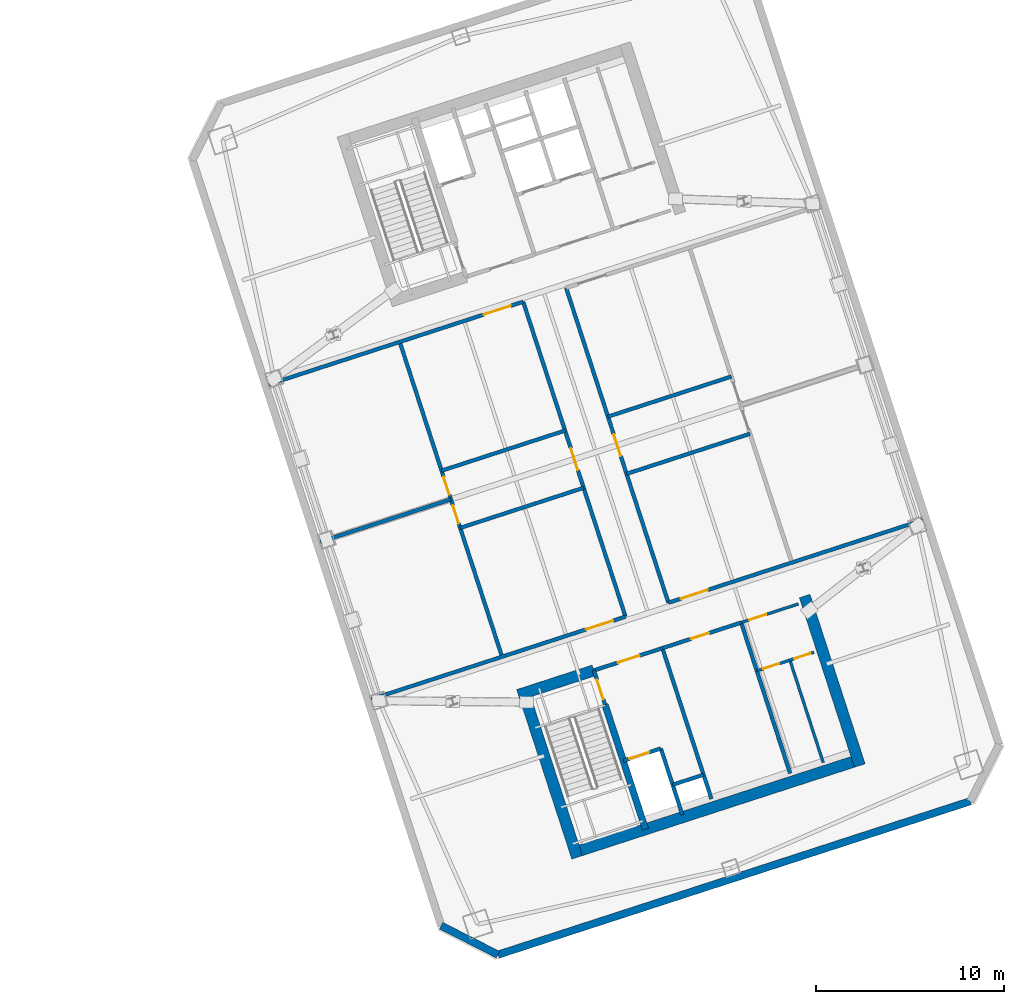
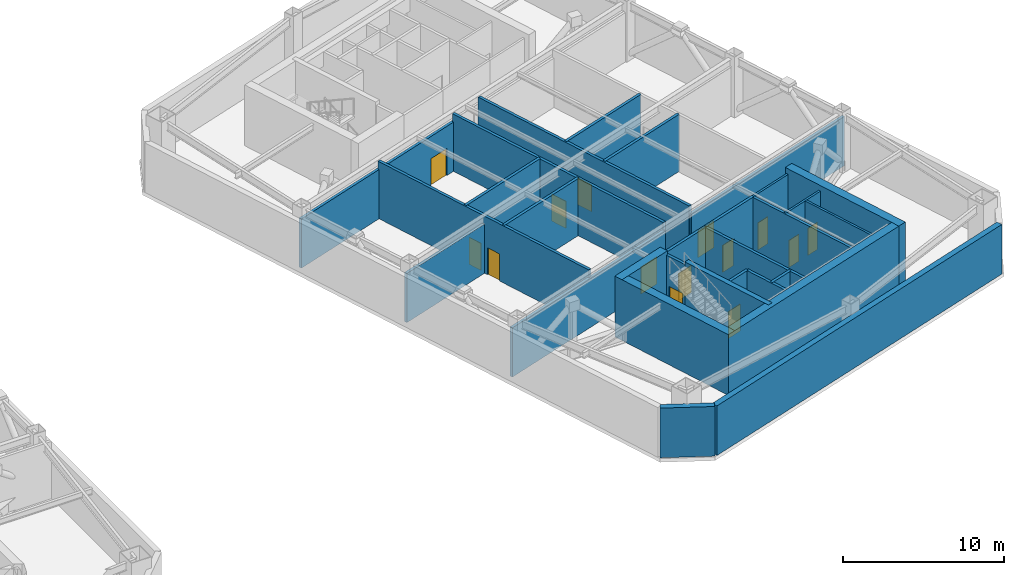
# One storey, part 13 of 17: 29 walls, 14 doors, 14 openings.
"""IFC4 building model written with IfcOpenShell, lengths in metres."""

from ifc_helpers import new_model, si_unit, direction, frame, frame_2d, origin, place, context, subcontext, project, spatial, rectangle, extrude, material, layer, layer_set, type_object, element, fill, save


model = new_model("IFC4")

# Units and contexts
model_context = context("Model", 3, precision=1e-05, world=origin(), true_north=direction((0.0, 1.0)))
body_context = subcontext(model_context, "Body", "Model", "MODEL_VIEW")
ifc_project = project(units=[si_unit("LENGTHUNIT", "METRE"), si_unit("AREAUNIT", "SQUARE_METRE"), si_unit("VOLUMEUNIT", "CUBIC_METRE"), si_unit("PLANEANGLEUNIT", "RADIAN"), si_unit("MASSUNIT", "GRAM", prefix="KILO")], contexts=[model_context])

# Site, building, storey
site_placement = place(None, origin())
site = spatial("IfcSite", under=ifc_project, at=site_placement, CompositionType="ELEMENT")
building_placement = place(site_placement, origin())
building = spatial("IfcBuilding", under=site, at=building_placement, Name="Qiaolan Cultural Towers", CompositionType="ELEMENT")
storey_placement = place(building_placement, frame((0.0, 0.0, 184.0)))
storey = spatial("IfcBuildingStorey", under=building, at=storey_placement, Name="L49", CompositionType="ELEMENT", Elevation=184.0)

# Walls
ifc_material_1 = material(Name="Concrete C50", Category="concrete")
ifc_layer_1 = layer(ifc_material_1, 0.35009765625)
ifc_layer_set_1 = layer_set([ifc_layer_1], Name="Concrete C50")
wall_type_1 = type_object("IfcWallType", Name="WL-CORE-350", PredefinedType="SHEAR", material=ifc_layer_set_1)
wall_1_placement = place(storey_placement, frame((90.486328125, 20.59423828125, 0.0), z_axis=(0.0, 0.0, 1.0), x_axis=(0.309020428229, -0.951055400562, 0.0)))
element("IfcWall", 1, at=wall_1_placement, inside=storey, type_object=wall_type_1, Name="L49 T2-CS Stair Core Dividing Web", PredefinedType="SHEAR", context=body_context, shape_type="SweptSolid", body=[
    extrude(rectangle(XDim=6.97998046875, YDim=0.35009765625, at=frame_2d((3.489990234375, 0.0))), origin(), (0.0, 0.0, 1.0), 4.60009765625),
])
ifc_material_2 = material(Name="Concrete C55", Category="concrete")
ifc_layer_2 = layer(ifc_material_2, 0.60009765625)
ifc_layer_set_2 = layer_set([ifc_layer_2], Name="Concrete C55")
wall_type_2 = type_object("IfcWallType", Name="WL-CORE-600", PredefinedType="SHEAR", material=ifc_layer_set_2)
wall_2_placement = place(storey_placement, frame((88.6298828125, 12.65185546875, 0.0), z_axis=(0.0, 0.0, 1.0), x_axis=(0.95105714907, 0.309015046886, 0.0)))
element("IfcWall", 2, at=wall_2_placement, inside=storey, type_object=wall_type_2, Name="L49 T2-CS Outer Core Shear Wall", PredefinedType="SHEAR", context=body_context, shape_type="SweptSolid", body=[
    extrude(rectangle(XDim=16.400146484375, YDim=0.60009765625, at=frame_2d((8.2001953125, 0.0))), origin(), (0.0, 0.0, 1.0), 4.60009765625),
])
wall_3_placement = place(storey_placement, frame((86.078369140625, 21.47509765625, 0.0), z_axis=(0.0, 0.0, 1.0), x_axis=(0.309017938678, -0.951056209472, 0.0)))
element("IfcWall", 3, at=wall_3_placement, inside=storey, type_object=wall_type_2, Name="L49 T2-CS West Core Shear Wall", PredefinedType="SHEAR", context=body_context, shape_type="SweptSolid", body=[
    extrude(rectangle(XDim=9.479736328125, YDim=0.60009765625, at=frame_2d((4.73974609375, 0.0))), origin(), (0.0, 0.0, 1.0), 4.60009765625),
])
wall_4_placement = place(storey_placement, frame((101.105224609375, 26.357666015625, 0.0), z_axis=(0.0, 0.0, 1.0), x_axis=(0.309010370028, -0.95105866865, 0.0)))
element("IfcWall", 4, at=wall_4_placement, inside=storey, type_object=wall_type_2, Name="L49 T2-CS East Core Shear Wall", PredefinedType="SHEAR", context=body_context, shape_type="SweptSolid", body=[
    extrude(rectangle(XDim=9.47998046875, YDim=0.60009765625, at=frame_2d((4.739990234375, 0.0))), origin(), (0.0, 0.0, 1.0), 4.60009765625),
])
wall_5_placement = place(storey_placement, frame((85.8857421875, 21.09716796875, 0.0), z_axis=(0.0, 0.0, 1.0), x_axis=(0.951068073652, 0.308981422225, 0.0)))
element("IfcWall", 5, at=wall_5_placement, inside=storey, type_object=wall_type_2, Name="L49 T2-CS Stair Front Shear Wall", PredefinedType="SHEAR", context=body_context, shape_type="SweptSolid", body=[
    extrude(rectangle(XDim=4.22021484375, YDim=0.60009765625, at=frame_2d((2.110107421875, 0.0))), origin(), (0.0, 0.0, 1.0), 4.60009765625),
])
ifc_material_3 = material(Name="Precast Concrete C50 Honed Stone Pier", Category="masonry")
ifc_layer_3 = layer(ifc_material_3, 0.39990234375)
ifc_layer_set_3 = layer_set([ifc_layer_3], Name="Precast Concrete C50 Honed Stone Pier")
wall_type_3 = type_object("IfcWallType", Name="WL-EXT-PIER-400", PredefinedType="SOLIDWALL", material=ifc_layer_set_3)
wall_6_placement = place(storey_placement, frame((109.908447265625, 15.44384765625, 0.0), z_axis=(0.0, 0.0, 1.0), x_axis=(-0.951057580055, -0.30901372044, 0.0)))
element("IfcWall", 6, at=wall_6_placement, inside=storey, type_object=wall_type_3, Name="L49 East Tower Precast Pier Facade Wall F7", PredefinedType="SOLIDWALL", context=body_context, shape_type="SweptSolid", body=[
    extrude(rectangle(XDim=26.39990234375, YDim=0.39990234375, at=frame_2d((13.199951171875, 0.0))), origin(), (0.0, 0.0, 1.0), 3.760009765625),
])
wall_7_placement = place(storey_placement, frame((84.800537109375, 7.285888671875, 0.0), z_axis=(0.0, 0.0, 1.0), x_axis=(-0.891020832027, 0.453962417932, 0.0)))
element("IfcWall", 7, at=wall_7_placement, inside=storey, type_object=wall_type_3, Name="L49 East Tower Precast Pier Facade Wall F8", PredefinedType="SOLIDWALL", context=body_context, shape_type="SweptSolid", body=[
    extrude(rectangle(XDim=3.39404296875, YDim=0.39990234375, at=frame_2d((1.697021484375, 0.0))), origin(), (0.0, 0.0, 1.0), 3.760009765625),
])

# Wall, opening, door
ifc_material_4 = material(Name="Concrete C35 Fire Wall", Category="concrete")
ifc_layer_4 = layer(ifc_material_4, 0.199951171875)
ifc_layer_set_4 = layer_set([ifc_layer_4], Name="Concrete C35 Fire Wall")
wall_type_4 = type_object("IfcWallType", Name="WL-FIRE-200", PredefinedType="PARTITIONING", material=ifc_layer_set_4)
wall_8_placement = place(storey_placement, frame((89.8994140625, 22.401123046875, 0.0), z_axis=(0.0, 0.0, 1.0), x_axis=(0.308932062672, -0.951084108086, 0.0)))
wall_8 = element("IfcWall", 8, at=wall_8_placement, inside=storey, type_object=wall_type_4, Name="L49 T2-CS Smokeproof Stair Entry Wall", PredefinedType="PARTITIONING", context=body_context, shape_type="SweptSolid", body=[
    extrude(rectangle(XDim=1.89990234375, YDim=0.199951171875, at=frame_2d((0.949951171875, 0.0))), origin(), (0.0, 0.0, 1.0), 4.324951171875),
])
opening_1_placement = place(wall_8_placement, frame((0.52001953125, 0.0, 0.0)))
opening_1 = element("IfcOpeningElement", 9, at=opening_1_placement, cuts=wall_8, Name="Opening FD-04", PredefinedType="OPENING", context=body_context, shape_type="SweptSolid", body=[
    extrude(rectangle(XDim=1.10009765625, YDim=2.050048828125, at=frame_2d((0.550048828125, 1.02490234375))), frame((0.0, 0.10986328125, 0.0), z_axis=(0.0, -1.0, 0.0), x_axis=(1.0, 0.0, 0.0)), (0.0, 0.0, 1.0), 0.219970703125),
])
ifc_material_5 = material(Name="Galvanized Steel Command Fire Door", Category="steel")
door_type_1 = type_object("IfcDoorType", Name="DR-FD90-1100", OperationType="NOTDEFINED", PredefinedType="DOOR", material=ifc_material_5)
door_1_placement = place(opening_1_placement, origin())
door_1 = element("IfcDoor", 10, at=door_1_placement, inside=storey, type_object=door_type_1, Name="L49 ST-E1 Smokeproof Stair Fire Door", OperationType="SINGLE_SWING_LEFT", OverallHeight=2.050048828125, OverallWidth=1.10009765625, PredefinedType="DOOR", context=body_context, shape_type="SweptSolid", body=[
    extrude(rectangle(XDim=1.10009765625, YDim=2.050048828125, at=frame_2d((0.550048828125, 1.02490234375))), frame((0.0, 0.02490234375, 0.0), z_axis=(0.0, -1.0, 0.0), x_axis=(1.0, 0.0, 0.0)), (0.0, 0.0, 1.0), 0.050048828125),
])
fill(opening_1, door_1)

# Wall
wall_9_placement = place(storey_placement, frame((93.541748046875, 23.584716796875, 0.0), z_axis=(0.0, 0.0, 1.0), x_axis=(0.309042196757, -0.951048327176, 0.0)))
element("IfcWall", 11, at=wall_9_placement, inside=storey, type_object=wall_type_4, Name="L49 T2-CS Firefighting Zone Wall", PredefinedType="PARTITIONING", context=body_context, shape_type="SweptSolid", body=[
    extrude(rectangle(XDim=8.429931640625, YDim=0.199951171875, at=frame_2d((4.21484375, 0.0))), origin(), (0.0, 0.0, 1.0), 4.324951171875),
])

# Wall, opening, door
wall_10_placement = place(storey_placement, frame((89.8994140625, 22.401123046875, 0.0), z_axis=(0.0, 0.0, 1.0), x_axis=(0.951046716504, 0.309047153403, 0.0)))
wall_10 = element("IfcWall", 12, at=wall_10_placement, inside=storey, type_object=wall_type_4, Name="L49 T2-CS Firefighting Lobby Front Wall", PredefinedType="PARTITIONING", context=body_context, shape_type="SweptSolid", body=[
    extrude(rectangle(XDim=3.829833984375, YDim=0.199951171875, at=frame_2d((1.9150390625, 0.0))), origin(), (0.0, 0.0, 1.0), 4.324951171875),
])
opening_2_placement = place(wall_10_placement, frame((1.35009765625, 0.0, 0.0)))
opening_2 = element("IfcOpeningElement", 13, at=opening_2_placement, cuts=wall_10, Name="Opening FD-03", PredefinedType="OPENING", context=body_context, shape_type="SweptSolid", body=[
    extrude(rectangle(XDim=1.199951171875, YDim=2.050048828125, at=frame_2d((0.60009765625, 1.02490234375))), frame((0.0, 0.10986328125, 0.0), z_axis=(0.0, -1.0, 0.0), x_axis=(1.0, 0.0, 0.0)), (0.0, 0.0, 1.0), 0.219970703125),
])
ifc_material_6 = material(Name="Galvanized Steel Smokeproof Lobby Fire Door", Category="steel")
door_type_2 = type_object("IfcDoorType", Name="DR-FD90-1200", OperationType="NOTDEFINED", PredefinedType="DOOR", material=ifc_material_6)
door_2_placement = place(opening_2_placement, origin())
door_2 = element("IfcDoor", 14, at=door_2_placement, inside=storey, type_object=door_type_2, Name="L49 FFL-E1 Firefighting Lobby Fire Door", OperationType="SINGLE_SWING_LEFT", OverallHeight=2.050048828125, OverallWidth=1.199951171875, PredefinedType="DOOR", context=body_context, shape_type="SweptSolid", body=[
    extrude(rectangle(XDim=1.199951171875, YDim=2.050048828125, at=frame_2d((0.60009765625, 1.02490234375))), frame((0.0, 0.02490234375, 0.0), z_axis=(0.0, -1.0, 0.0), x_axis=(1.0, 0.0, 0.0)), (0.0, 0.0, 1.0), 0.050048828125),
])
fill(opening_2, door_2)

wall_11_placement = place(storey_placement, frame((91.459716796875, 17.598388671875, 0.0), z_axis=(0.0, 0.0, 1.0), x_axis=(0.951062257173, 0.308999325213, 0.0)))
wall_11 = element("IfcWall", 15, at=wall_11_placement, inside=storey, type_object=wall_type_4, Name="L49 T2-CS Firefighting Shaft Front Wall", PredefinedType="PARTITIONING", context=body_context, shape_type="SweptSolid", body=[
    extrude(rectangle(XDim=2.10009765625, YDim=0.199951171875, at=frame_2d((1.050048828125, 0.0))), origin(), (0.0, 0.0, 1.0), 4.324951171875),
])
opening_3_placement = place(wall_11_placement, frame((0.35009765625, 0.0, 0.0)))
opening_3 = element("IfcOpeningElement", 16, at=opening_3_placement, cuts=wall_11, Name="Opening LD-01", PredefinedType="OPENING", context=body_context, shape_type="SweptSolid", body=[
    extrude(rectangle(XDim=1.10009765625, YDim=2.050048828125, at=frame_2d((0.550048828125, 1.02490234375))), frame((0.0, 0.10986328125, 0.0), z_axis=(0.0, -1.0, 0.0), x_axis=(1.0, 0.0, 0.0)), (0.0, 0.0, 1.0), 0.219970703125),
])
ifc_material_7 = material(Name="Brushed Stainless Steel S30408 Centre-Parting Lift Landing Door", Category="steel")
door_type_3 = type_object("IfcDoorType", Name="DR-LIFT-1100", OperationType="NOTDEFINED", PredefinedType="DOOR", material=ifc_material_7)
door_3_placement = place(opening_3_placement, origin())
door_3 = element("IfcDoor", 17, at=door_3_placement, inside=storey, type_object=door_type_3, Name="L49 FFL-E1 Firefighting Lift Landing Door", OperationType="DOUBLE_DOOR_SLIDING", OverallHeight=2.050048828125, OverallWidth=1.10009765625, PredefinedType="DOOR", context=body_context, shape_type="SweptSolid", body=[
    extrude(rectangle(XDim=1.10009765625, YDim=2.050048828125, at=frame_2d((0.550048828125, 1.02490234375))), frame((0.0, 0.02490234375, 0.0), z_axis=(0.0, -1.0, 0.0), x_axis=(1.0, 0.0, 0.0)), (0.0, 0.0, 1.0), 0.050048828125),
])
fill(opening_3, door_3)

# Walls
wall_12_placement = place(storey_placement, frame((93.45703125, 18.247314453125, 0.0), z_axis=(0.0, 0.0, 1.0), x_axis=(0.3089935693, -0.951064127245, 0.0)))
element("IfcWall", 18, at=wall_12_placement, inside=storey, type_object=wall_type_4, Name="L49 T2-CS Firefighting Hoistway East Wall", PredefinedType="PARTITIONING", context=body_context, shape_type="SweptSolid", body=[
    extrude(rectangle(XDim=3.7001953125, YDim=0.199951171875, at=frame_2d((1.85009765625, 0.0))), origin(), (0.0, 0.0, 1.0), 4.324951171875),
])
wall_13_placement = place(storey_placement, frame((94.08447265625, 16.316650390625, 0.0), z_axis=(0.0, 0.0, 1.0), x_axis=(0.951041328149, 0.309063734775, 0.0)))
element("IfcWall", 19, at=wall_13_placement, inside=storey, type_object=wall_type_4, Name="L49 T2-CS Pressurization Shaft Front Wall", PredefinedType="PARTITIONING", context=body_context, shape_type="SweptSolid", body=[
    extrude(rectangle(XDim=1.72998046875, YDim=0.199951171875, at=frame_2d((0.864990234375, 0.0))), origin(), (0.0, 0.0, 1.0), 4.324951171875),
])
wall_14_placement = place(storey_placement, frame((97.7265625, 24.9443359375, 0.0), z_axis=(0.0, 0.0, 1.0), x_axis=(0.309016001439, -0.951056838919, 0.0)))
element("IfcWall", 20, at=wall_14_placement, inside=storey, type_object=wall_type_4, Name="L49 T2-CS Lift Core East Wall", PredefinedType="PARTITIONING", context=body_context, shape_type="SweptSolid", body=[
    extrude(rectangle(XDim=8.429931640625, YDim=0.199951171875, at=frame_2d((4.21484375, 0.0))), origin(), (0.0, 0.0, 1.0), 4.324951171875),
])

# Wall, opening, door
wall_15_placement = place(storey_placement, frame((93.541748046875, 23.584716796875, 0.0), z_axis=(0.0, 0.0, 1.0), x_axis=(0.951063829732, 0.308994485023, 0.0)))
wall_15 = element("IfcWall", 21, at=wall_15_placement, inside=storey, type_object=wall_type_4, Name="L49 T2-CS Refuge Core Riser Wall", PredefinedType="PARTITIONING", context=body_context, shape_type="SweptSolid", body=[
    extrude(rectangle(XDim=4.400146484375, YDim=0.199951171875, at=frame_2d((2.2001953125, 0.0))), origin(), (0.0, 0.0, 1.0), 4.324951171875),
])
opening_4_placement = place(wall_15_placement, frame((1.60009765625, 0.0, 0.0)))
opening_4 = element("IfcOpeningElement", 22, at=opening_4_placement, cuts=wall_15, Name="Opening FD-07", PredefinedType="OPENING", context=body_context, shape_type="SweptSolid", body=[
    extrude(rectangle(XDim=1.0, YDim=2.050048828125, at=frame_2d((0.5, 1.02490234375))), frame((0.0, 0.10986328125, 0.0), z_axis=(0.0, -1.0, 0.0), x_axis=(1.0, 0.0, 0.0)), (0.0, 0.0, 1.0), 0.219970703125),
])
ifc_material_8 = material(Name="Painted Steel Riser Fire Door", Category="steel")
door_type_4 = type_object("IfcDoorType", Name="DR-FD60-1000", OperationType="NOTDEFINED", PredefinedType="DOOR", material=ifc_material_8)
door_4_placement = place(opening_4_placement, origin())
door_4 = element("IfcDoor", 23, at=door_4_placement, inside=storey, type_object=door_type_4, Name="L49 Core Plant Room Door", OperationType="SINGLE_SWING_LEFT", OverallHeight=2.050048828125, OverallWidth=1.0, PredefinedType="DOOR", context=body_context, shape_type="SweptSolid", body=[
    extrude(rectangle(XDim=1.0, YDim=2.050048828125, at=frame_2d((0.5, 1.02490234375))), frame((0.0, 0.02490234375, 0.0), z_axis=(0.0, -1.0, 0.0), x_axis=(1.0, 0.0, 0.0)), (0.0, 0.0, 1.0), 0.050048828125),
])
fill(opening_4, door_4)

wall_16_placement = place(storey_placement, frame((78.072998046875, 20.871826171875, 0.0), z_axis=(0.0, 0.0, 1.0), x_axis=(0.951059461247, 0.3090079306, 0.0)))
wall_16 = element("IfcWall", 24, at=wall_16_placement, inside=storey, type_object=wall_type_4, Name="L49 T2 Fire Rated Plant/Refuge Wall SBW", PredefinedType="PARTITIONING", context=body_context, shape_type="SweptSolid", body=[
    extrude(rectangle(XDim=14.2001953125, YDim=0.199951171875, at=frame_2d((7.10009765625, 0.0))), origin(), (0.0, 0.0, 1.0), 3.72705078125),
])
opening_5_placement = place(wall_16_placement, frame((12.0, 0.0, 0.0)))
opening_5 = element("IfcOpeningElement", 25, at=opening_5_placement, cuts=wall_16, Name="Opening FD-02", PredefinedType="OPENING", context=body_context, shape_type="SweptSolid", body=[
    extrude(rectangle(XDim=1.5, YDim=2.050048828125, at=frame_2d((0.75, 1.02490234375))), frame((0.0, 0.10986328125, 0.0), z_axis=(0.0, -1.0, 0.0), x_axis=(1.0, 0.0, 0.0)), (0.0, 0.0, 1.0), 0.219970703125),
])
ifc_material_9 = material(Name="Galvanized Steel Double Fire Door", Category="steel")
door_type_5 = type_object("IfcDoorType", Name="DR-FD90-1500", OperationType="NOTDEFINED", PredefinedType="DOOR", material=ifc_material_9)
door_5_placement = place(opening_5_placement, origin())
door_5 = element("IfcDoor", 26, at=door_5_placement, inside=storey, type_object=door_type_5, Name="L49 T2 West South Refuge Fire Door", OperationType="SINGLE_SWING_LEFT", OverallHeight=2.050048828125, OverallWidth=1.5, PredefinedType="DOOR", context=body_context, shape_type="SweptSolid", body=[
    extrude(rectangle(XDim=1.5, YDim=2.050048828125, at=frame_2d((0.75, 1.02490234375))), frame((0.0, 0.02490234375, 0.0), z_axis=(0.0, -1.0, 0.0), x_axis=(1.0, 0.0, 0.0)), (0.0, 0.0, 1.0), 0.050048828125),
])
fill(opening_5, door_5)

wall_17_placement = place(storey_placement, frame((93.860595703125, 26.00146484375, 0.0), z_axis=(0.0, 0.0, 1.0), x_axis=(0.951054408413, 0.309023481693, 0.0)))
wall_17 = element("IfcWall", 27, at=wall_17_placement, inside=storey, type_object=wall_type_4, Name="L49 T2 Fire Rated Plant/Refuge Wall SBE", PredefinedType="PARTITIONING", context=body_context, shape_type="SweptSolid", body=[
    extrude(rectangle(XDim=14.2001953125, YDim=0.199951171875, at=frame_2d((7.10009765625, 0.0))), origin(), (0.0, 0.0, 1.0), 3.72705078125),
])
opening_6_placement = place(wall_17_placement, frame((0.699951171875, 0.0, 0.0)))
opening_6 = element("IfcOpeningElement", 28, at=opening_6_placement, cuts=wall_17, Name="Opening FD-02", PredefinedType="OPENING", context=body_context, shape_type="SweptSolid", body=[
    extrude(rectangle(XDim=1.5, YDim=2.050048828125, at=frame_2d((0.75, 1.02490234375))), frame((0.0, 0.10986328125, 0.0), z_axis=(0.0, -1.0, 0.0), x_axis=(1.0, 0.0, 0.0)), (0.0, 0.0, 1.0), 0.219970703125),
])
door_6_placement = place(opening_6_placement, origin())
door_6 = element("IfcDoor", 29, at=door_6_placement, inside=storey, type_object=door_type_5, Name="L49 T2 East South Refuge Fire Door", OperationType="SINGLE_SWING_RIGHT", OverallHeight=2.050048828125, OverallWidth=1.5, PredefinedType="DOOR", context=body_context, shape_type="SweptSolid", body=[
    extrude(rectangle(XDim=1.5, YDim=2.050048828125, at=frame_2d((0.75, 1.02490234375))), frame((0.0, 0.02490234375, 0.0), z_axis=(0.0, -1.0, 0.0), x_axis=(1.0, 0.0, 0.0)), (0.0, 0.0, 1.0), 0.050048828125),
])
fill(opening_6, door_6)

wall_18_placement = place(storey_placement, frame((72.63427734375, 37.6103515625, 0.0), z_axis=(0.0, 0.0, 1.0), x_axis=(0.951054408413, 0.309023481693, 0.0)))
wall_18 = element("IfcWall", 30, at=wall_18_placement, inside=storey, type_object=wall_type_4, Name="L49 T2 Fire Rated Plant/Refuge Wall NBW", PredefinedType="PARTITIONING", context=body_context, shape_type="SweptSolid", body=[
    extrude(rectangle(XDim=14.2001953125, YDim=0.199951171875, at=frame_2d((7.10009765625, 0.0))), origin(), (0.0, 0.0, 1.0), 3.72705078125),
])
opening_7_placement = place(wall_18_placement, frame((12.0, 0.0, 0.0)))
opening_7 = element("IfcOpeningElement", 31, at=opening_7_placement, cuts=wall_18, Name="Opening FD-02", PredefinedType="OPENING", context=body_context, shape_type="SweptSolid", body=[
    extrude(rectangle(XDim=1.5, YDim=2.050048828125, at=frame_2d((0.75, 1.02490234375))), frame((0.0, 0.10986328125, 0.0), z_axis=(0.0, -1.0, 0.0), x_axis=(1.0, 0.0, 0.0)), (0.0, 0.0, 1.0), 0.219970703125),
])
door_7_placement = place(opening_7_placement, origin())
door_7 = element("IfcDoor", 32, at=door_7_placement, inside=storey, type_object=door_type_5, Name="L49 T2 West North Refuge Fire Door", OperationType="SINGLE_SWING_LEFT", OverallHeight=2.050048828125, OverallWidth=1.5, PredefinedType="DOOR", context=body_context, shape_type="SweptSolid", body=[
    extrude(rectangle(XDim=1.5, YDim=2.050048828125, at=frame_2d((0.75, 1.02490234375))), frame((0.0, 0.02490234375, 0.0), z_axis=(0.0, -1.0, 0.0), x_axis=(1.0, 0.0, 0.0)), (0.0, 0.0, 1.0), 0.050048828125),
])
fill(opening_7, door_7)

wall_19_placement = place(storey_placement, frame((91.578125, 25.259765625, 0.0), z_axis=(0.0, 0.0, 1.0), x_axis=(-0.30901518495, 0.951057104211, 0.0)))
wall_19 = element("IfcWall", 33, at=wall_19_placement, inside=storey, type_object=wall_type_4, Name="L49 T2 Fire Rated Plant/Refuge Wall CL", PredefinedType="PARTITIONING", context=body_context, shape_type="SweptSolid", body=[
    extrude(rectangle(XDim=17.60009765625, YDim=0.199951171875, at=frame_2d((8.800048828125, 0.0))), origin(), (0.0, 0.0, 1.0), 4.324951171875),
])
opening_8_placement = place(wall_19_placement, frame((8.199951171875, 0.0, 0.0)))
opening_8 = element("IfcOpeningElement", 34, at=opening_8_placement, cuts=wall_19, Name="Opening FD-03", PredefinedType="OPENING", context=body_context, shape_type="SweptSolid", body=[
    extrude(rectangle(XDim=1.199951171875, YDim=2.050048828125, at=frame_2d((0.60009765625, 1.02490234375))), frame((0.0, 0.10986328125, 0.0), z_axis=(0.0, -1.0, 0.0), x_axis=(1.0, 0.0, 0.0)), (0.0, 0.0, 1.0), 0.219970703125),
])
door_8_placement = place(opening_8_placement, origin())
door_8 = element("IfcDoor", 35, at=door_8_placement, inside=storey, type_object=door_type_2, Name="L49 T2 West Plant Passage Door", OperationType="SINGLE_SWING_LEFT", OverallHeight=2.050048828125, OverallWidth=1.199951171875, PredefinedType="DOOR", context=body_context, shape_type="SweptSolid", body=[
    extrude(rectangle(XDim=1.199951171875, YDim=2.050048828125, at=frame_2d((0.60009765625, 1.02490234375))), frame((0.0, 0.02490234375, 0.0), z_axis=(0.0, -1.0, 0.0), x_axis=(1.0, 0.0, 0.0)), (0.0, 0.0, 1.0), 0.050048828125),
])
fill(opening_8, door_8)

wall_20_placement = place(storey_placement, frame((93.860595703125, 26.00146484375, 0.0), z_axis=(0.0, 0.0, 1.0), x_axis=(-0.30901518495, 0.951057104211, 0.0)))
wall_20 = element("IfcWall", 36, at=wall_20_placement, inside=storey, type_object=wall_type_4, Name="L49 T2 Fire Rated Plant/Refuge Wall CR", PredefinedType="PARTITIONING", context=body_context, shape_type="SweptSolid", body=[
    extrude(rectangle(XDim=17.60009765625, YDim=0.199951171875, at=frame_2d((8.800048828125, 0.0))), origin(), (0.0, 0.0, 1.0), 4.324951171875),
])
opening_9_placement = place(wall_20_placement, frame((8.199951171875, 0.0, 0.0)))
opening_9 = element("IfcOpeningElement", 37, at=opening_9_placement, cuts=wall_20, Name="Opening FD-03", PredefinedType="OPENING", context=body_context, shape_type="SweptSolid", body=[
    extrude(rectangle(XDim=1.199951171875, YDim=2.050048828125, at=frame_2d((0.60009765625, 1.02490234375))), frame((0.0, 0.10986328125, 0.0), z_axis=(0.0, -1.0, 0.0), x_axis=(1.0, 0.0, 0.0)), (0.0, 0.0, 1.0), 0.219970703125),
])
door_9_placement = place(opening_9_placement, origin())
door_9 = element("IfcDoor", 38, at=door_9_placement, inside=storey, type_object=door_type_2, Name="L49 T2 East Plant Passage Door", OperationType="SINGLE_SWING_RIGHT", OverallHeight=2.050048828125, OverallWidth=1.199951171875, PredefinedType="DOOR", context=body_context, shape_type="SweptSolid", body=[
    extrude(rectangle(XDim=1.199951171875, YDim=2.050048828125, at=frame_2d((0.60009765625, 1.02490234375))), frame((0.0, 0.02490234375, 0.0), z_axis=(0.0, -1.0, 0.0), x_axis=(1.0, 0.0, 0.0)), (0.0, 0.0, 1.0), 0.050048828125),
])
fill(opening_9, door_9)

# Wall, openings, doors
wall_21_placement = place(storey_placement, frame((85.015869140625, 23.127685546875, 0.0), z_axis=(0.0, 0.0, 1.0), x_axis=(-0.309019261708, 0.951055779591, 0.0)))
wall_21 = element("IfcWall", 39, at=wall_21_placement, inside=storey, type_object=wall_type_4, Name="L49 T2 Fire Rated Plant/Refuge Wall WL", PredefinedType="PARTITIONING", context=body_context, shape_type="SweptSolid", body=[
    extrude(rectangle(XDim=17.599853515625, YDim=0.199951171875, at=frame_2d((8.7998046875, 0.0))), origin(), (0.0, 0.0, 1.0), 4.324951171875),
])
opening_10_placement = place(wall_21_placement, frame((7.449951171875, 0.0, 0.0)))
opening_10 = element("IfcOpeningElement", 40, at=opening_10_placement, cuts=wall_21, Name="Opening FD-07", PredefinedType="OPENING", context=body_context, shape_type="SweptSolid", body=[
    extrude(rectangle(XDim=1.0, YDim=2.050048828125, at=frame_2d((0.5, 1.02490234375))), frame((0.0, 0.10986328125, 0.0), z_axis=(0.0, -1.0, 0.0), x_axis=(1.0, 0.0, 0.0)), (0.0, 0.0, 1.0), 0.219970703125),
])
opening_11_placement = place(wall_21_placement, frame((9.050048828125, 0.0, 0.0)))
opening_11 = element("IfcOpeningElement", 41, at=opening_11_placement, cuts=wall_21, Name="Opening FD-07", PredefinedType="OPENING", context=body_context, shape_type="SweptSolid", body=[
    extrude(rectangle(XDim=1.0, YDim=2.050048828125, at=frame_2d((0.5, 1.02490234375))), frame((0.0, 0.10986328125, 0.0), z_axis=(0.0, -1.0, 0.0), x_axis=(1.0, 0.0, 0.0)), (0.0, 0.0, 1.0), 0.219970703125),
])
door_10_placement = place(opening_10_placement, origin())
door_10 = element("IfcDoor", 42, at=door_10_placement, inside=storey, type_object=door_type_4, Name="L49 T2 West Chiller Plant Door", OperationType="SINGLE_SWING_LEFT", OverallHeight=2.050048828125, OverallWidth=1.0, PredefinedType="DOOR", context=body_context, shape_type="SweptSolid", body=[
    extrude(rectangle(XDim=1.0, YDim=2.050048828125, at=frame_2d((0.5, 1.02490234375))), frame((0.0, 0.02490234375, 0.0), z_axis=(0.0, -1.0, 0.0), x_axis=(1.0, 0.0, 0.0)), (0.0, 0.0, 1.0), 0.050048828125),
])
fill(opening_10, door_10)
door_11_placement = place(opening_11_placement, origin())
door_11 = element("IfcDoor", 43, at=door_11_placement, inside=storey, type_object=door_type_4, Name="L49 T2 West Fire Water Pump Plant Door", OperationType="SINGLE_SWING_RIGHT", OverallHeight=2.050048828125, OverallWidth=1.0, PredefinedType="DOOR", context=body_context, shape_type="SweptSolid", body=[
    extrude(rectangle(XDim=1.0, YDim=2.050048828125, at=frame_2d((0.5, 1.02490234375))), frame((0.0, 0.02490234375, 0.0), z_axis=(0.0, -1.0, 0.0), x_axis=(1.0, 0.0, 0.0)), (0.0, 0.0, 1.0), 0.050048828125),
])
fill(opening_11, door_11)

# Walls
wall_22_placement = place(storey_placement, frame((75.353759765625, 29.2412109375, 0.0), z_axis=(0.0, 0.0, 1.0), x_axis=(0.951053974497, 0.309024817117, 0.0)))
element("IfcWall", 44, at=wall_22_placement, inside=storey, type_object=wall_type_4, Name="L49 T2 Fire Rated Plant/Refuge Wall WMID", PredefinedType="PARTITIONING", context=body_context, shape_type="SweptSolid", body=[
    extrude(rectangle(XDim=7.300048828125, YDim=0.199951171875, at=frame_2d((3.64990234375, 0.0))), origin(), (0.0, 0.0, 1.0), 3.72705078125),
])
wall_23_placement = place(storey_placement, frame((82.790771484375, 29.975341796875, 0.0), z_axis=(0.0, 0.0, 1.0), x_axis=(0.951065265554, 0.308990065628, 0.0)))
element("IfcWall", 45, at=wall_23_placement, inside=storey, type_object=wall_type_4, Name="L49 T2 Fire Rated Plant/Refuge Wall SVS-WL", PredefinedType="PARTITIONING", context=body_context, shape_type="SweptSolid", body=[
    extrude(rectangle(XDim=6.900146484375, YDim=0.199951171875, at=frame_2d((3.4501953125, 0.0))), origin(), (0.0, 0.0, 1.0), 4.324951171875),
])
for number, where, z_axis, x_axis, name in (
    (46, (81.802001953125, 33.0185546875, 0.0), (0.0, 0.0, 1.0), (0.951051488548, 0.309032467762, 0.0), "L49 T2 Fire Rated Plant/Refuge Wall SVS-NL"),
    (47, (91.6357421875, 32.84912109375, 0.0), (0.0, 0.0, 1.0), (0.951051488548, 0.309032467762, 0.0), "L49 T2 Fire Rated Plant/Refuge Wall SVS-WR"),
):
    element("IfcWall", number, at=place(storey_placement, frame(where, z_axis=z_axis, x_axis=x_axis)), inside=storey, type_object=wall_type_4, Name=name, PredefinedType="PARTITIONING", context=body_context, shape_type="SweptSolid", body=[
        extrude(rectangle(XDim=6.89990234375, YDim=0.199951171875, at=frame_2d((3.449951171875, 0.0))), origin(), (0.0, 0.0, 1.0), 4.324951171875),
    ])
wall_24_placement = place(storey_placement, frame((90.646728515625, 35.892578125, 0.0), z_axis=(0.0, 0.0, 1.0), x_axis=(0.951065265554, 0.308990065628, 0.0)))
element("IfcWall", 48, at=wall_24_placement, inside=storey, type_object=wall_type_4, Name="L49 T2 Fire Rated Plant/Refuge Wall SVS-NR", PredefinedType="PARTITIONING", context=body_context, shape_type="SweptSolid", body=[
    extrude(rectangle(XDim=6.900146484375, YDim=0.199951171875, at=frame_2d((3.4501953125, 0.0))), origin(), (0.0, 0.0, 1.0), 4.324951171875),
])

# Wall, opening, door
ifc_material_10 = material(Name="Autoclaved Aerated Concrete Block B06", Category="concrete")
ifc_layer_5 = layer(ifc_material_10, 0.14990234375)
ifc_layer_set_5 = layer_set([ifc_layer_5], Name="Autoclaved Aerated Concrete Block B06")
wall_type_5 = type_object("IfcWallType", Name="WL-PART-150", PredefinedType="PARTITIONING", material=ifc_layer_set_5)
wall_25_placement = place(storey_placement, frame((97.7265625, 24.9443359375, 0.0), z_axis=(0.0, 0.0, 1.0), x_axis=(0.951036872128, 0.309077446369, 0.0)))
wall_25 = element("IfcWall", 49, at=wall_25_placement, inside=storey, type_object=wall_type_5, Name="L49 T2-CS Sanitary Core Front Wall", PredefinedType="PARTITIONING", context=body_context, shape_type="SweptSolid", body=[
    extrude(rectangle(XDim=3.199951171875, YDim=0.14990234375, at=frame_2d((1.60009765625, 0.0))), origin(), (0.0, 0.0, 1.0), 4.324951171875),
])
opening_12_placement = place(wall_25_placement, frame((0.449951171875, 0.0, 0.0)))
opening_12 = element("IfcOpeningElement", 50, at=opening_12_placement, cuts=wall_25, Name="Opening ID-05", PredefinedType="OPENING", context=body_context, shape_type="SweptSolid", body=[
    extrude(rectangle(XDim=0.949951171875, YDim=2.050048828125, at=frame_2d((0.47509765625, 1.02490234375))), frame((0.0, 0.0849609375, 0.0), z_axis=(0.0, -1.0, 0.0), x_axis=(1.0, 0.0, 0.0)), (0.0, 0.0, 1.0), 0.169921875),
])
ifc_material_11 = material(Name="Fire-Rated Laminate Accessible Core Door", Category="timber")
door_type_6 = type_object("IfcDoorType", Name="DR-INT-950", OperationType="NOTDEFINED", PredefinedType="DOOR", material=ifc_material_11)
door_12_placement = place(opening_12_placement, origin())
door_12 = element("IfcDoor", 51, at=door_12_placement, inside=storey, type_object=door_type_6, Name="L49 Sanitary Vestibule Door", OperationType="SINGLE_SWING_LEFT", OverallHeight=2.050048828125, OverallWidth=0.949951171875, PredefinedType="DOOR", context=body_context, shape_type="SweptSolid", body=[
    extrude(rectangle(XDim=0.949951171875, YDim=2.050048828125, at=frame_2d((0.47509765625, 1.02490234375))), frame((0.0, 0.02490234375, 0.0), z_axis=(0.0, -1.0, 0.0), x_axis=(1.0, 0.0, 0.0)), (0.0, 0.0, 1.0), 0.050048828125),
])
fill(opening_12, door_12)

# Wall, openings, doors
wall_26_placement = place(storey_placement, frame((98.560791015625, 22.37646484375, 0.0), z_axis=(0.0, 0.0, 1.0), x_axis=(0.95104415986, 0.309055020985, 0.0)))
wall_26 = element("IfcWall", 52, at=wall_26_placement, inside=storey, type_object=wall_type_5, Name="L49 T2-CS Restroom Vestibule Wall", PredefinedType="PARTITIONING", context=body_context, shape_type="SweptSolid", body=[
    extrude(rectangle(XDim=3.2001953125, YDim=0.14990234375, at=frame_2d((1.60009765625, 0.0))), origin(), (0.0, 0.0, 1.0), 4.324951171875),
])
opening_13_placement = place(wall_26_placement, frame((0.35009765625, 0.0, 0.0)))
opening_13 = element("IfcOpeningElement", 53, at=opening_13_placement, cuts=wall_26, Name="Opening ID-06", PredefinedType="OPENING", context=body_context, shape_type="SweptSolid", body=[
    extrude(rectangle(XDim=0.89990234375, YDim=2.050048828125, at=frame_2d((0.449951171875, 1.02490234375))), frame((0.0, 0.0849609375, 0.0), z_axis=(0.0, -1.0, 0.0), x_axis=(1.0, 0.0, 0.0)), (0.0, 0.0, 1.0), 0.169921875),
])
opening_14_placement = place(wall_26_placement, frame((2.10009765625, 0.0, 0.0)))
opening_14 = element("IfcOpeningElement", 54, at=opening_14_placement, cuts=wall_26, Name="Opening ID-06", PredefinedType="OPENING", context=body_context, shape_type="SweptSolid", body=[
    extrude(rectangle(XDim=0.89990234375, YDim=2.050048828125, at=frame_2d((0.449951171875, 1.02490234375))), frame((0.0, 0.0849609375, 0.0), z_axis=(0.0, -1.0, 0.0), x_axis=(1.0, 0.0, 0.0)), (0.0, 0.0, 1.0), 0.169921875),
])
ifc_material_12 = material(Name="Fire-Rated Laminate Core Service Door", Category="timber")
door_type_7 = type_object("IfcDoorType", Name="DR-INT-900", OperationType="NOTDEFINED", PredefinedType="DOOR", material=ifc_material_12)
door_13_placement = place(opening_13_placement, origin())
door_13 = element("IfcDoor", 55, at=door_13_placement, inside=storey, type_object=door_type_7, Name="L49 Men Restroom Door", OperationType="SINGLE_SWING_LEFT", OverallHeight=2.050048828125, OverallWidth=0.89990234375, PredefinedType="DOOR", context=body_context, shape_type="SweptSolid", body=[
    extrude(rectangle(XDim=0.89990234375, YDim=2.050048828125, at=frame_2d((0.449951171875, 1.02490234375))), frame((0.0, 0.02490234375, 0.0), z_axis=(0.0, -1.0, 0.0), x_axis=(1.0, 0.0, 0.0)), (0.0, 0.0, 1.0), 0.050048828125),
])
fill(opening_13, door_13)
door_14_placement = place(opening_14_placement, origin())
door_14 = element("IfcDoor", 56, at=door_14_placement, inside=storey, type_object=door_type_7, Name="L49 Accessible & Women Restroom Door", OperationType="SINGLE_SWING_RIGHT", OverallHeight=2.050048828125, OverallWidth=0.89990234375, PredefinedType="DOOR", context=body_context, shape_type="SweptSolid", body=[
    extrude(rectangle(XDim=0.89990234375, YDim=2.050048828125, at=frame_2d((0.449951171875, 1.02490234375))), frame((0.0, 0.02490234375, 0.0), z_axis=(0.0, -1.0, 0.0), x_axis=(1.0, 0.0, 0.0)), (0.0, 0.0, 1.0), 0.050048828125),
])
fill(opening_14, door_14)

# Wall
wall_27_placement = place(storey_placement, frame((100.3203125, 22.9482421875, 0.0), z_axis=(0.0, 0.0, 1.0), x_axis=(0.309035009867, -0.951050662518, 0.0)))
element("IfcWall", 57, at=wall_27_placement, inside=storey, type_object=wall_type_5, Name="L49 T2-CS Restroom Divider Wall", PredefinedType="PARTITIONING", context=body_context, shape_type="SweptSolid", body=[
    extrude(rectangle(XDim=5.72998046875, YDim=0.14990234375, at=frame_2d((2.864990234375, 0.0))), origin(), (0.0, 0.0, 1.0), 4.324951171875),
])

save(model, "model.ifc")
